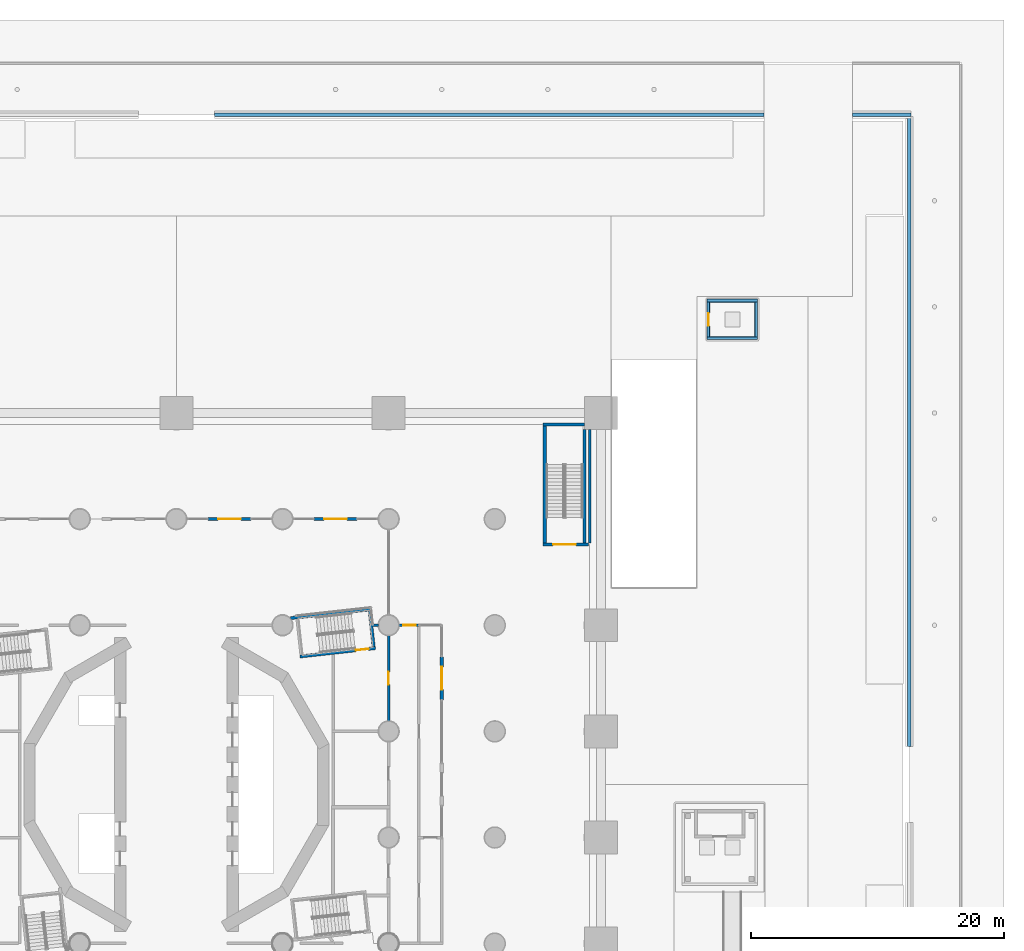
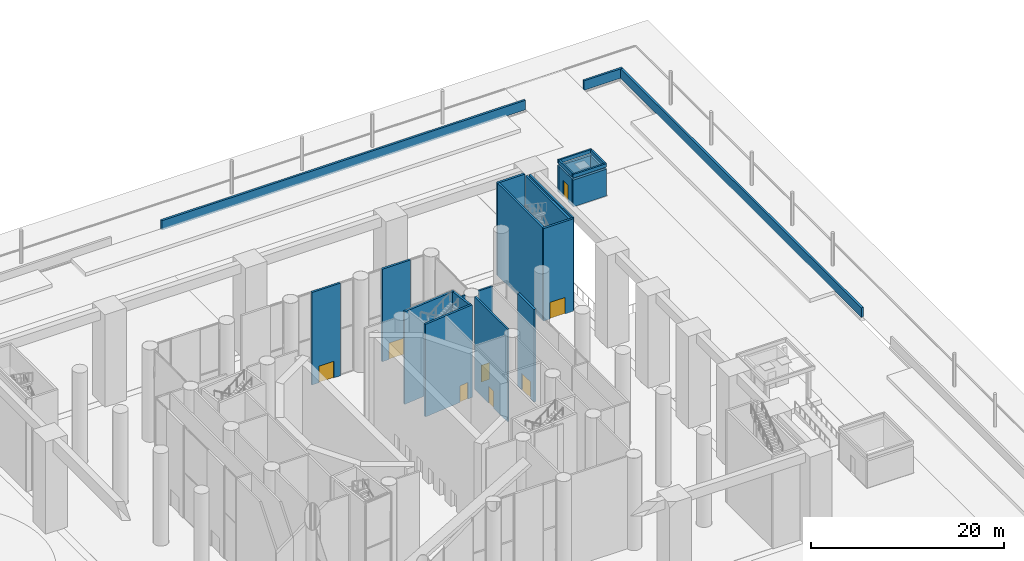
# One storey, part 17 of 52: 25 walls, 8 doors, 8 openings.
"""IFC4 building model written with IfcOpenShell, lengths in metres."""

import ifcopenshell
import ifcopenshell.guid

model = None  # the IFC model being written
_history = None  # IfcOwnerHistory: only IFC2X3 demands one
_inside = {}  # id of a spatial element -> (the spatial element, [elements in it])
_under = {}  # id of a project, library or spatial element -> (it, [spatial elements below it])
_declared = {}  # id of a project -> (the project, [libraries it declares])
_typed = {}  # id of a type object -> (the type object, [elements of that type])
_made_of = {}  # id of a material, layer set ... -> (it, [elements and type objects made of it])


def new_model(schema):
    """Start an empty IFC model of exactly this schema.

    Asked for "IFC4X3", IfcOpenShell would pick the latest addendum, in which some entities
    have other attributes; the version numbers below select the first issue.
    IFC2X3 requires an IfcOwnerHistory on every rooted entity: one is made here for all.
    """
    global model, _history
    if schema == "IFC4X3":
        model = ifcopenshell.file(schema_version=(4, 3, 0, 0))
    else:
        model = ifcopenshell.file(schema=schema)
    _inside.clear()
    _under.clear()
    _declared.clear()
    _typed.clear()
    _made_of.clear()
    _history = None
    if model.schema == "IFC2X3":
        org = make("IfcOrganization", Name="unknown")
        user = make(
            "IfcPersonAndOrganization",
            ThePerson=make("IfcPerson", FamilyName="unknown"),
            TheOrganization=org,
        )
        app = make(
            "IfcApplication",
            ApplicationDeveloper=org,
            Version="unknown",
            ApplicationFullName="unknown",
            ApplicationIdentifier="unknown",
        )
        _history = make(
            "IfcOwnerHistory",
            OwningUser=user,
            OwningApplication=app,
            ChangeAction="ADDED",
            CreationDate=0,
        )
    return model


def make(cls, **values):
    """One entity of the class cls with the attributes given. An attribute that is None is left unset."""
    return model.create_entity(
        cls, **{name: value for name, value in values.items() if value is not None}
    )


def rooted(cls, **values):
    """An entity with a GlobalId (a new one), such as an element, a storey or a relation."""
    return make(cls, GlobalId=ifcopenshell.guid.new(), OwnerHistory=_history, **values)


def si_unit(unit_type, name, prefix=None):
    """IfcSIUnit, for example si_unit("LENGTHUNIT", "METRE", prefix="MILLI")."""
    return make("IfcSIUnit", UnitType=unit_type, Prefix=prefix, Name=name)


def assignment(units):
    """IfcUnitAssignment: the units of a project."""
    return None if units is None else make("IfcUnitAssignment", Units=units)


def point(xyz):
    """IfcCartesianPoint."""
    return None if xyz is None else make("IfcCartesianPoint", Coordinates=xyz)


def direction(xyz):
    """IfcDirection."""
    return None if xyz is None else make("IfcDirection", DirectionRatios=xyz)


def frame(location, z_axis=None, x_axis=None):
    """IfcAxis2Placement3D, a coordinate frame: its origin and axes. An axis left out is left unset."""
    return make(
        "IfcAxis2Placement3D",
        Location=point(location),
        Axis=direction(z_axis),
        RefDirection=direction(x_axis),
    )


def frame_2d(location, x_axis=None):
    """IfcAxis2Placement2D, a coordinate frame in the plane: its origin and x axis."""
    return make(
        "IfcAxis2Placement2D", Location=point(location), RefDirection=direction(x_axis)
    )


def origin():
    """The frame at (0, 0, 0) with its axes left unset."""
    return frame((0.0, 0.0, 0.0))


def place(relative_to, where):
    """IfcLocalPlacement: puts the frame where relative to a parent placement (None: the world)."""
    return make(
        "IfcLocalPlacement", PlacementRelTo=relative_to, RelativePlacement=where
    )


def context(
    kind, dimensions, precision=None, world=None, true_north=None, identifier=None
):
    """IfcGeometricRepresentationContext, for example the 3D "Model" context."""
    return make(
        "IfcGeometricRepresentationContext",
        ContextIdentifier=identifier,
        ContextType=kind,
        CoordinateSpaceDimension=dimensions,
        Precision=precision,
        WorldCoordinateSystem=world,
        TrueNorth=true_north,
    )


def subcontext(parent, identifier, kind, view, scale=None):
    """IfcGeometricRepresentationSubContext, for example "Body" below "Model"."""
    return make(
        "IfcGeometricRepresentationSubContext",
        ContextIdentifier=identifier,
        ContextType=kind,
        ParentContext=parent,
        TargetScale=scale,
        TargetView=view,
    )


def project(units=None, contexts=None):
    """IfcProject with its units and contexts."""
    return rooted(
        "IfcProject",
        Name="project",
        RepresentationContexts=contexts,
        UnitsInContext=assignment(units),
    )


def spatial(cls, under=None, at=None, **own):
    """A site, building, storey or space (cls), placed at a placement, below another one or the project."""
    s = rooted(cls, ObjectPlacement=at, **own)
    if under is not None:
        _under.setdefault(under.id(), (under, []))[1].append(s)
    return s


def profile(cls, at=None, kind="AREA", **sizes):
    """A parametric profile (cls). Its sizes go by their IFC names, for example OverallWidth=200.0."""
    return make(cls, ProfileType=kind, Position=at, **sizes)


def rectangle(**sizes):
    """IfcRectangleProfileDef."""
    return profile("IfcRectangleProfileDef", **sizes)


def extrude(swept, where, along, depth):
    """IfcExtrudedAreaSolid: the profile swept, set in the frame where, extruded along a direction by depth."""
    return make(
        "IfcExtrudedAreaSolid",
        SweptArea=swept,
        Position=where,
        ExtrudedDirection=direction(along),
        Depth=depth,
    )


def shape(context_of_items, identifier, shape_type, items):
    """IfcShapeRepresentation: the items that make up one representation, for example the "Body"."""
    return make(
        "IfcShapeRepresentation",
        ContextOfItems=context_of_items,
        RepresentationIdentifier=identifier,
        RepresentationType=shape_type,
        Items=items,
    )


def material(Name=None, Category=None):
    """IfcMaterial."""
    return make("IfcMaterial", Name=Name, Category=Category)


def layer(
    of_material, thickness, ventilated=None, Name=None, Category=None, Priority=None
):
    """IfcMaterialLayer: one layer of a wall or slab, of a material (None: an air gap)."""
    return make(
        "IfcMaterialLayer",
        Material=of_material,
        LayerThickness=thickness,
        IsVentilated=ventilated,
        Name=Name,
        Category=Category,
        Priority=Priority,
    )


def layer_set(layers, Name=None):
    """IfcMaterialLayerSet."""
    return make("IfcMaterialLayerSet", MaterialLayers=layers, LayerSetName=Name)


def made_of(thing, what):
    """Note that an element or type object is made of a material, layer set ...; save() writes the relation."""
    if what is not None:
        _made_of.setdefault(what.id(), (what, []))[1].append(thing)
    return thing


def type_object(cls, material=None, **own):
    """A type object (cls), such as IfcWallType, which elements share."""
    return made_of(rooted(cls, **own), material)


def element(
    cls,
    number,
    at=None,
    inside=None,
    cuts=None,
    type_object=None,
    material=None,
    context=None,
    identifier="Body",
    shape_type=None,
    held_by="IfcProductDefinitionShape",
    body=None,
    shapes=None,
    **own,
):
    """One element of the class cls, such as IfcWall. Its Tag is "e" and its number.

    at: its placement. inside: the storey or other place that contains it. cuts: it is an
    opening in that element (IfcRelVoidsElement). A single representation is given by context,
    identifier, shape_type and body (its items); several are given by shapes. held_by: the class
    of the entity that holds the representations. save() writes the other relations.
    """
    e = rooted(cls, Tag="e%d" % number, ObjectPlacement=at, **own)
    if body is not None:
        shapes = [shape(context, identifier, shape_type, body)]
    if shapes is not None:
        e.Representation = make(held_by, Representations=shapes)
    if inside is not None:
        _inside.setdefault(inside.id(), (inside, []))[1].append(e)
    if cuts is not None:
        rooted(
            "IfcRelVoidsElement", RelatingBuildingElement=cuts, RelatedOpeningElement=e
        )
    if type_object is not None:
        _typed.setdefault(type_object.id(), (type_object, []))[1].append(e)
    return made_of(e, material)


def fill(opening, filler):
    """IfcRelFillsElement: the door or window that sits in an opening."""
    return rooted(
        "IfcRelFillsElement",
        RelatingOpeningElement=opening,
        RelatedBuildingElement=filler,
    )


def aggregate(whole, parts):
    """IfcRelAggregates: a whole, such as a stair, and the parts it consists of."""
    return rooted("IfcRelAggregates", RelatingObject=whole, RelatedObjects=parts)


def save(model, path):
    """Write the relations noted so far, then the file.

    IfcRelAggregates (storeys below a building ...), IfcRelContainedInSpatialStructure (elements
    in a storey), IfcRelDefinesByType, IfcRelAssociatesMaterial and IfcRelDeclares: one each for
    every whole, place, type object, material and project.
    """
    for whole, parts in _under.values():
        aggregate(whole, parts)
    for where, things in _inside.values():
        rooted(
            "IfcRelContainedInSpatialStructure",
            RelatedElements=things,
            RelatingStructure=where,
        )
    for kind, things in _typed.values():
        rooted("IfcRelDefinesByType", RelatedObjects=things, RelatingType=kind)
    for what, things in _made_of.values():
        rooted("IfcRelAssociatesMaterial", RelatedObjects=things, RelatingMaterial=what)
    for by, libraries in _declared.values():
        rooted("IfcRelDeclares", RelatingContext=by, RelatedDefinitions=libraries)
    model.write(path)


model = new_model("IFC4")

# Units and contexts
model_context = context("Model", 3, precision=1e-05, world=origin(), true_north=direction((0.0, 1.0)))
body_context = subcontext(model_context, "Body", "Model", "MODEL_VIEW")
ifc_project = project(units=[si_unit("LENGTHUNIT", "METRE"), si_unit("AREAUNIT", "SQUARE_METRE"), si_unit("VOLUMEUNIT", "CUBIC_METRE"), si_unit("PLANEANGLEUNIT", "RADIAN"), si_unit("MASSUNIT", "GRAM", prefix="KILO")], contexts=[model_context])

# Site, building, storey
site_placement = place(None, origin())
site = spatial("IfcSite", under=ifc_project, at=site_placement, CompositionType="ELEMENT")
building_placement = place(site_placement, origin())
building = spatial("IfcBuilding", under=site, at=building_placement, Name="Cantera Rosa Tower", CompositionType="ELEMENT")
storey_placement = place(building_placement, origin())
storey = spatial("IfcBuildingStorey", under=building, at=storey_placement, Name="L00", CompositionType="ELEMENT", Elevation=0.0)

# Wall
ifc_material_1 = material(Name="Masonry blockwork", Category="masonry")
ifc_layer_1 = layer(ifc_material_1, 0.199951171875)
ifc_layer_set_1 = layer_set([ifc_layer_1], Name="Blockwork partition 200")
wall_type_1 = type_object("IfcWallType", Name="Blockwork partition 200", PredefinedType="PARTITIONING", material=ifc_layer_set_1)
wall_1_placement = place(storey_placement, frame((15.5517578125, 12.60009765625, 0.0), z_axis=(0.0, 0.0, 1.0), x_axis=(1.0, 0.0, 0.0)))
element("IfcWall", 1, at=wall_1_placement, inside=storey, type_object=wall_type_1, Name="Partition L00-19", PredefinedType="PARTITIONING", context=body_context, shape_type="SweptSolid", body=[
    extrude(rectangle(XDim=0.4482421875, YDim=0.199951171875, at=frame_2d((0.22412109375, 0.0))), origin(), (0.0, 0.0, 1.0), 11.699951171875),
])

# Wall, opening, door
wall_2_placement = place(storey_placement, frame((17.60009765625, 12.60009765625, 0.0), z_axis=(0.0, 0.0, 1.0), x_axis=(1.0, 0.0, 0.0)))
wall_2 = element("IfcWall", 2, at=wall_2_placement, inside=storey, type_object=wall_type_1, Name="Partition L00-20", PredefinedType="PARTITIONING", context=body_context, shape_type="SweptSolid", body=[
    extrude(rectangle(XDim=1.699951171875, YDim=0.199951171875, at=frame_2d((0.85009765625, 0.0))), origin(), (0.0, 0.0, 1.0), 11.699951171875),
])
opening_1_placement = place(wall_2_placement, frame((0.35009765625, 0.0, 0.0)))
opening_1 = element("IfcOpeningElement", 3, at=opening_1_placement, cuts=wall_2, Name="Opening L00-013", PredefinedType="OPENING", context=body_context, shape_type="SweptSolid", body=[
    extrude(rectangle(XDim=1.0, YDim=2.10009765625, at=frame_2d((0.5, 1.050048828125))), frame((0.0, 0.10986328125, 0.0), z_axis=(0.0, -1.0, 0.0), x_axis=(1.0, 0.0, 0.0)), (0.0, 0.0, 1.0), 0.219970703125),
])
ifc_material_2 = material(Name="Timber", Category="wood")
door_type_1 = type_object("IfcDoorType", Name="Door 1000x2100", OperationType="NOTDEFINED", PredefinedType="DOOR", material=ifc_material_2)
door_1_placement = place(opening_1_placement, origin())
door_1 = element("IfcDoor", 4, at=door_1_placement, inside=storey, type_object=door_type_1, Name="Door L00-013", OverallHeight=2.10009765625, OverallWidth=1.0, PredefinedType="DOOR", context=body_context, shape_type="SweptSolid", body=[
    extrude(rectangle(XDim=1.0, YDim=2.10009765625, at=frame_2d((0.5, 1.050048828125))), frame((0.0, 0.02490234375, 0.0), z_axis=(0.0, -1.0, 0.0), x_axis=(1.0, 0.0, 0.0)), (0.0, 0.0, 1.0), 0.050048828125),
])
fill(opening_1, door_1)

wall_3_placement = place(storey_placement, frame((16.800048828125, 5.0, 0.0), z_axis=(0.0, 0.0, 1.0), x_axis=(0.0, 1.0, 0.0)))
wall_3 = element("IfcWall", 5, at=wall_3_placement, inside=storey, type_object=wall_type_1, Name="Partition L00-33", PredefinedType="PARTITIONING", context=body_context, shape_type="SweptSolid", body=[
    extrude(rectangle(XDim=6.800048828125, YDim=0.199951171875, at=frame_2d((3.39990234375, 0.0))), origin(), (0.0, 0.0, 1.0), 11.699951171875),
])
opening_2_placement = place(wall_3_placement, frame((2.89990234375, 0.0, 0.0)))
opening_2 = element("IfcOpeningElement", 6, at=opening_2_placement, cuts=wall_3, Name="Opening L00-003", PredefinedType="OPENING", context=body_context, shape_type="SweptSolid", body=[
    extrude(rectangle(XDim=1.0, YDim=2.10009765625, at=frame_2d((0.5, 1.050048828125))), frame((0.0, 0.10986328125, 0.0), z_axis=(0.0, -1.0, 0.0), x_axis=(1.0, 0.0, 0.0)), (0.0, 0.0, 1.0), 0.219970703125),
])
door_2_placement = place(opening_2_placement, origin())
door_2 = element("IfcDoor", 7, at=door_2_placement, inside=storey, type_object=door_type_1, Name="Door L00-003", OverallHeight=2.10009765625, OverallWidth=1.0, PredefinedType="DOOR", context=body_context, shape_type="SweptSolid", body=[
    extrude(rectangle(XDim=1.0, YDim=2.10009765625, at=frame_2d((0.5, 1.050048828125))), frame((0.0, 0.02490234375, 0.0), z_axis=(0.0, -1.0, 0.0), x_axis=(1.0, 0.0, 0.0)), (0.0, 0.0, 1.0), 0.050048828125),
])
fill(opening_2, door_2)

# Wall
wall_4_placement = place(storey_placement, frame((32.699951171875, 19.10009765625, 0.0), z_axis=(0.0, 0.0, 1.0), x_axis=(0.0, 1.0, 0.0)))
element("IfcWall", 8, at=wall_4_placement, inside=storey, type_object=wall_type_1, Name="Partition L00-61", PredefinedType="PARTITIONING", context=body_context, shape_type="SweptSolid", body=[
    extrude(rectangle(XDim=9.0, YDim=0.199951171875, at=frame_2d((4.5, 0.0))), origin(), (0.0, 0.0, 1.0), 11.699951171875),
])

# Wall, opening, door
ifc_material_3 = material(Name="Masonry blockwork", Category="masonry")
ifc_layer_2 = layer(ifc_material_3, 0.25)
ifc_layer_set_2 = layer_set([ifc_layer_2], Name="Entrance wall 250")
wall_type_2 = type_object("IfcWallType", Name="Entrance wall 250", PredefinedType="PARTITIONING", material=ifc_layer_set_2)
wall_5_placement = place(storey_placement, frame((21.0, 6.699951171875, 0.0), z_axis=(0.0, 0.0, 1.0), x_axis=(0.0, 1.0, 0.0)))
wall_5 = element("IfcWall", 9, at=wall_5_placement, inside=storey, type_object=wall_type_2, Name="Entrance wall L00-2", PredefinedType="PARTITIONING", context=body_context, shape_type="SweptSolid", body=[
    extrude(rectangle(XDim=3.400146484375, YDim=0.25, at=frame_2d((1.7001953125, 0.0))), origin(), (0.0, 0.0, 1.0), 11.699951171875),
])
opening_3_placement = place(wall_5_placement, frame((0.800048828125, 0.0, 0.0)))
opening_3 = element("IfcOpeningElement", 10, at=opening_3_placement, cuts=wall_5, Name="Opening L00-E02", PredefinedType="OPENING", context=body_context, shape_type="SweptSolid", body=[
    extrude(rectangle(XDim=1.800048828125, YDim=2.10009765625, at=frame_2d((0.89990234375, 1.050048828125))), frame((0.0, 0.135009765625, 0.0), z_axis=(0.0, -1.0, 0.0), x_axis=(1.0, 0.0, 0.0)), (0.0, 0.0, 1.0), 0.27001953125),
])
ifc_material_4 = material(Name="Glass", Category="glass")
door_type_2 = type_object("IfcDoorType", Name="Glazed entrance door 1800x2100", OperationType="NOTDEFINED", PredefinedType="DOOR", material=ifc_material_4)
door_3_placement = place(opening_3_placement, origin())
door_3 = element("IfcDoor", 11, at=door_3_placement, inside=storey, type_object=door_type_2, Name="Entrance door L00-E02", OperationType="DOUBLE_DOOR_SINGLE_SWING", OverallHeight=2.10009765625, OverallWidth=1.800048828125, PredefinedType="DOOR", context=body_context, shape_type="SweptSolid", body=[
    extrude(rectangle(XDim=1.800048828125, YDim=2.10009765625, at=frame_2d((0.89990234375, 1.050048828125))), frame((0.0, 0.02490234375, 0.0), z_axis=(0.0, -1.0, 0.0), x_axis=(1.0, 0.0, 0.0)), (0.0, 0.0, 1.0), 0.050048828125),
])
fill(opening_3, door_3)

wall_6_placement = place(storey_placement, frame((2.5, 21.0, 0.0), z_axis=(0.0, 0.0, 1.0), x_axis=(1.0, 0.0, 0.0)))
wall_6 = element("IfcWall", 12, at=wall_6_placement, inside=storey, type_object=wall_type_2, Name="Entrance wall L00-4", PredefinedType="PARTITIONING", context=body_context, shape_type="SweptSolid", body=[
    extrude(rectangle(XDim=3.39990234375, YDim=0.25, at=frame_2d((1.699951171875, 0.0))), origin(), (0.0, 0.0, 1.0), 11.699951171875),
])
opening_4_placement = place(wall_6_placement, frame((0.800048828125, 0.0, 0.0)))
opening_4 = element("IfcOpeningElement", 13, at=opening_4_placement, cuts=wall_6, Name="Opening L00-E04", PredefinedType="OPENING", context=body_context, shape_type="SweptSolid", body=[
    extrude(rectangle(XDim=1.800048828125, YDim=2.10009765625, at=frame_2d((0.89990234375, 1.050048828125))), frame((0.0, 0.135009765625, 0.0), z_axis=(0.0, -1.0, 0.0), x_axis=(1.0, 0.0, 0.0)), (0.0, 0.0, 1.0), 0.27001953125),
])
door_4_placement = place(opening_4_placement, origin())
door_4 = element("IfcDoor", 14, at=door_4_placement, inside=storey, type_object=door_type_2, Name="Entrance door L00-E04", OperationType="DOUBLE_DOOR_SINGLE_SWING", OverallHeight=2.10009765625, OverallWidth=1.800048828125, PredefinedType="DOOR", context=body_context, shape_type="SweptSolid", body=[
    extrude(rectangle(XDim=1.800048828125, YDim=2.10009765625, at=frame_2d((0.89990234375, 1.050048828125))), frame((0.0, 0.02490234375, 0.0), z_axis=(0.0, -1.0, 0.0), x_axis=(1.0, 0.0, 0.0)), (0.0, 0.0, 1.0), 0.050048828125),
])
fill(opening_4, door_4)

wall_7_placement = place(storey_placement, frame((10.89990234375, 21.0, 0.0), z_axis=(0.0, 0.0, 1.0), x_axis=(1.0, 0.0, 0.0)))
wall_7 = element("IfcWall", 15, at=wall_7_placement, inside=storey, type_object=wall_type_2, Name="Entrance wall L00-5", PredefinedType="PARTITIONING", context=body_context, shape_type="SweptSolid", body=[
    extrude(rectangle(XDim=3.400146484375, YDim=0.25, at=frame_2d((1.7001953125, 0.0))), origin(), (0.0, 0.0, 1.0), 11.699951171875),
])
opening_5_placement = place(wall_7_placement, frame((0.800048828125, 0.0, 0.0)))
opening_5 = element("IfcOpeningElement", 16, at=opening_5_placement, cuts=wall_7, Name="Opening L00-E05", PredefinedType="OPENING", context=body_context, shape_type="SweptSolid", body=[
    extrude(rectangle(XDim=1.800048828125, YDim=2.10009765625, at=frame_2d((0.89990234375, 1.050048828125))), frame((0.0, 0.135009765625, 0.0), z_axis=(0.0, -1.0, 0.0), x_axis=(1.0, 0.0, 0.0)), (0.0, 0.0, 1.0), 0.27001953125),
])
door_5_placement = place(opening_5_placement, origin())
door_5 = element("IfcDoor", 17, at=door_5_placement, inside=storey, type_object=door_type_2, Name="Entrance door L00-E05", OperationType="DOUBLE_DOOR_SINGLE_SWING", OverallHeight=2.10009765625, OverallWidth=1.800048828125, PredefinedType="DOOR", context=body_context, shape_type="SweptSolid", body=[
    extrude(rectangle(XDim=1.800048828125, YDim=2.10009765625, at=frame_2d((0.89990234375, 1.050048828125))), frame((0.0, 0.02490234375, 0.0), z_axis=(0.0, -1.0, 0.0), x_axis=(1.0, 0.0, 0.0)), (0.0, 0.0, 1.0), 0.050048828125),
])
fill(opening_5, door_5)

# Walls
ifc_material_5 = material(Name="Concrete C50/60", Category="concrete")
ifc_layer_3 = layer(ifc_material_5, 0.25)
ifc_layer_set_3 = layer_set([ifc_layer_3], Name="External stair wall 250")
wall_type_3 = type_object("IfcWallType", Name="External stair wall 250", PredefinedType="SOLIDWALL", material=ifc_layer_set_3)
wall_8_placement = place(storey_placement, frame((29.02490234375, 28.5, 0.0), z_axis=(0.0, 0.0, 1.0), x_axis=(1.0, 0.0, 0.0)))
element("IfcWall", 18, at=wall_8_placement, inside=storey, type_object=wall_type_3, Name="Stair wall L00-53", PredefinedType="SOLIDWALL", context=body_context, shape_type="SweptSolid", body=[
    extrude(rectangle(XDim=3.275146484375, YDim=0.25, at=frame_2d((1.6376953125, 0.0))), origin(), (0.0, 0.0, 1.0), 11.699951171875),
])
ifc_material_6 = material(Name="Concrete C40/50", Category="concrete")
ifc_layer_4 = layer(ifc_material_6, 0.25)
ifc_layer_set_4 = layer_set([ifc_layer_4], Name="Pavilion wall 250")
wall_type_4 = type_object("IfcWallType", Name="Pavilion wall 250", PredefinedType="SOLIDWALL", material=ifc_layer_set_4)
for number, where, z_axis, x_axis, name in (
    (19, (42.0, 35.324951171875, 0.0), (0.0, 0.0, 1.0), (1.0, 0.0, 0.0), "Wall of the car park gatehouse S"),
    (20, (42.0, 38.27490234375, 0.0), (0.0, 0.0, 1.0), (1.0, 0.0, 0.0), "Wall of the car park gatehouse N"),
):
    element("IfcWall", number, at=place(storey_placement, frame(where, z_axis=z_axis, x_axis=x_axis)), inside=storey, type_object=wall_type_4, Name=name, PredefinedType="SOLIDWALL", context=body_context, shape_type="SweptSolid", body=[
        extrude(rectangle(XDim=4.0, YDim=0.25, at=frame_2d((2.0, 0.0))), origin(), (0.0, 0.0, 1.0), 3.39990234375),
    ])

# Wall, opening, door
wall_9_placement = place(storey_placement, frame((42.125, 35.449951171875, 0.0), z_axis=(0.0, 0.0, 1.0), x_axis=(0.0, 1.0, 0.0)))
wall_9 = element("IfcWall", 21, at=wall_9_placement, inside=storey, type_object=wall_type_4, Name="Wall of the car park gatehouse W", PredefinedType="SOLIDWALL", context=body_context, shape_type="SweptSolid", body=[
    extrude(rectangle(XDim=2.699951171875, YDim=0.25, at=frame_2d((1.35009765625, 0.0))), origin(), (0.0, 0.0, 1.0), 3.39990234375),
])
opening_6_placement = place(wall_9_placement, frame((0.85009765625, 0.0, 0.0)))
opening_6 = element("IfcOpeningElement", 22, at=opening_6_placement, cuts=wall_9, Name="Opening L00-GATE", PredefinedType="OPENING", context=body_context, shape_type="SweptSolid", body=[
    extrude(rectangle(XDim=1.0, YDim=2.10009765625, at=frame_2d((0.5, 1.050048828125))), frame((0.0, 0.135009765625, 0.0), z_axis=(0.0, -1.0, 0.0), x_axis=(1.0, 0.0, 0.0)), (0.0, 0.0, 1.0), 0.27001953125),
])
ifc_material_7 = material(Name="Steel S355J2 (EN 10025-2)", Category="steel")
door_type_3 = type_object("IfcDoorType", Name="Pavilion door 1000x2100", OperationType="NOTDEFINED", PredefinedType="DOOR", material=ifc_material_7)
door_6_placement = place(opening_6_placement, origin())
door_6 = element("IfcDoor", 23, at=door_6_placement, inside=storey, type_object=door_type_3, Name="Door of the car park gatehouse", OverallHeight=2.10009765625, OverallWidth=1.0, PredefinedType="DOOR", context=body_context, shape_type="SweptSolid", body=[
    extrude(rectangle(XDim=1.0, YDim=2.10009765625, at=frame_2d((0.5, 1.050048828125))), frame((0.0, 0.02490234375, 0.0), z_axis=(0.0, -1.0, 0.0), x_axis=(1.0, 0.0, 0.0)), (0.0, 0.0, 1.0), 0.050048828125),
])
fill(opening_6, door_6)

# Walls
wall_10_placement = place(storey_placement, frame((45.875, 35.449951171875, 0.0), z_axis=(0.0, 0.0, 1.0), x_axis=(0.0, 1.0, 0.0)))
element("IfcWall", 24, at=wall_10_placement, inside=storey, type_object=wall_type_4, Name="Wall of the car park gatehouse E", PredefinedType="SOLIDWALL", context=body_context, shape_type="SweptSolid", body=[
    extrude(rectangle(XDim=2.699951171875, YDim=0.25, at=frame_2d((1.35009765625, 0.0))), origin(), (0.0, 0.0, 1.0), 3.39990234375),
])
ifc_material_8 = material(Name="Concrete C40/50", Category="concrete")
ifc_layer_5 = layer(ifc_material_8, 0.25)
ifc_layer_set_5 = layer_set([ifc_layer_5], Name="Plot boundary wall 250")
wall_type_5 = type_object("IfcWallType", Name="Plot boundary wall 250", PredefinedType="NOTDEFINED", material=ifc_layer_set_5)
wall_11_placement = place(storey_placement, frame((3.0, 53.0, 0.0), z_axis=(0.0, 0.0, 1.0), x_axis=(1.0, 0.0, 0.0)))
element("IfcWall", 25, at=wall_11_placement, inside=storey, type_object=wall_type_5, Name="Plot boundary wall N2", PredefinedType="NOTDEFINED", context=body_context, shape_type="SweptSolid", body=[
    extrude(rectangle(XDim=43.5, YDim=0.25, at=frame_2d((21.75, 0.0))), origin(), (0.0, 0.0, 1.0), 1.199951171875),
])
wall_12_placement = place(storey_placement, frame((53.5, 53.0, 0.0), z_axis=(0.0, 0.0, 1.0), x_axis=(1.0, 0.0, 0.0)))
element("IfcWall", 26, at=wall_12_placement, inside=storey, type_object=wall_type_5, Name="Plot boundary wall N3", PredefinedType="NOTDEFINED", context=body_context, shape_type="SweptSolid", body=[
    extrude(rectangle(XDim=4.625, YDim=0.25, at=frame_2d((2.3125, 0.0))), origin(), (0.0, 0.0, 1.0), 1.199951171875),
])
wall_13_placement = place(storey_placement, frame((58.0, 3.0, 0.0), z_axis=(0.0, 0.0, 1.0), x_axis=(0.0, 1.0, 0.0)))
element("IfcWall", 27, at=wall_13_placement, inside=storey, type_object=wall_type_5, Name="Plot boundary wall E2", PredefinedType="NOTDEFINED", context=body_context, shape_type="SweptSolid", body=[
    extrude(rectangle(XDim=49.875, YDim=0.25, at=frame_2d((24.9375, 0.0))), origin(), (0.0, 0.0, 1.0), 1.199951171875),
])
ifc_material_9 = material(Name="Concrete C50/60", Category="concrete")
ifc_layer_6 = layer(ifc_material_9, 0.25)
ifc_layer_set_6 = layer_set([ifc_layer_6], Name="RC stair wall 250 C50/60")
wall_type_6 = type_object("IfcWallType", Name="RC stair wall 250", PredefinedType="SOLIDWALL", material=ifc_layer_set_6)
wall_14_placement = place(storey_placement, frame((32.300048828125, 19.125, 0.0), z_axis=(0.0, 0.0, 1.0), x_axis=(0.0, 1.0, 0.0)))
element("IfcWall", 28, at=wall_14_placement, inside=storey, type_object=wall_type_6, Name="Stair wall L00-51", PredefinedType="SOLIDWALL", context=body_context, shape_type="SweptSolid", body=[
    extrude(rectangle(XDim=8.97509765625, YDim=0.25, at=frame_2d((4.487548828125, 0.0))), origin(), (0.0, 0.0, 1.0), 11.699951171875),
])
wall_15_placement = place(storey_placement, frame((29.14990234375, 19.125, 0.0), z_axis=(0.0, 0.0, 1.0), x_axis=(0.0, 1.0, 0.0)))
element("IfcWall", 29, at=wall_15_placement, inside=storey, type_object=wall_type_6, Name="Stair wall L00-55", PredefinedType="SOLIDWALL", context=body_context, shape_type="SweptSolid", body=[
    extrude(rectangle(XDim=9.25, YDim=0.25, at=frame_2d((4.625, 0.0))), origin(), (0.0, 0.0, 1.0), 11.699951171875),
])

# Wall, opening, door
wall_16_placement = place(storey_placement, frame((32.60009765625, 19.0, 0.0), z_axis=(0.0, 0.0, 1.0), x_axis=(-1.0, 0.0, 0.0)))
wall_16 = element("IfcWall", 30, at=wall_16_placement, inside=storey, type_object=wall_type_6, Name="Stair wall L00-58", PredefinedType="SOLIDWALL", context=body_context, shape_type="SweptSolid", body=[
    extrude(rectangle(XDim=3.5751953125, YDim=0.25, at=frame_2d((1.78759765625, 0.0))), origin(), (0.0, 0.0, 1.0), 11.699951171875),
])
opening_7_placement = place(wall_16_placement, frame((0.97509765625, 0.0, 0.0)))
opening_7 = element("IfcOpeningElement", 31, at=opening_7_placement, cuts=wall_16, Name="Opening L00-015", PredefinedType="OPENING", context=body_context, shape_type="SweptSolid", body=[
    extrude(rectangle(XDim=1.800048828125, YDim=2.10009765625, at=frame_2d((0.89990234375, 1.050048828125))), frame((0.0, 0.135009765625, 0.0), z_axis=(0.0, -1.0, 0.0), x_axis=(1.0, 0.0, 0.0)), (0.0, 0.0, 1.0), 0.27001953125),
])
ifc_material_10 = material(Name="Steel S355J2 (EN 10025-2)", Category="steel")
door_type_4 = type_object("IfcDoorType", Name="Fire double door 1800x2100 EI 120", OperationType="NOTDEFINED", PredefinedType="DOOR", material=ifc_material_10)
door_7_placement = place(opening_7_placement, origin())
door_7 = element("IfcDoor", 32, at=door_7_placement, inside=storey, type_object=door_type_4, Name="Door L00-015", OperationType="DOUBLE_DOOR_SINGLE_SWING", OverallHeight=2.10009765625, OverallWidth=1.800048828125, PredefinedType="DOOR", context=body_context, shape_type="SweptSolid", body=[
    extrude(rectangle(XDim=1.800048828125, YDim=2.10009765625, at=frame_2d((0.89990234375, 1.050048828125))), frame((0.0, 0.02490234375, 0.0), z_axis=(0.0, -1.0, 0.0), x_axis=(1.0, 0.0, 0.0)), (0.0, 0.0, 1.0), 0.050048828125),
])
fill(opening_7, door_7)

# Wall
wall_17_placement = place(storey_placement, frame((15.30029296875, 13.7333984375, 0.0), z_axis=(0.0, 0.0, 1.0), x_axis=(0.110252878147, -0.99390356819, 0.0)))
element("IfcWall", 33, at=wall_17_placement, inside=storey, type_object=wall_type_6, Name="Stair wall ST-11 L00-1", PredefinedType="SOLIDWALL", context=body_context, shape_type="SweptSolid", body=[
    extrude(rectangle(XDim=2.849853515625, YDim=0.25, at=frame_2d((1.4248046875, 0.0))), origin(), (0.0, 0.0, 1.0), 11.699951171875),
])

# Wall, opening, door
wall_18_placement = place(storey_placement, frame((15.752685546875, 10.790283203125, 0.0), z_axis=(0.0, 0.0, 1.0), x_axis=(-0.993897125329, -0.110310943534, 0.0)))
wall_18 = element("IfcWall", 34, at=wall_18_placement, inside=storey, type_object=wall_type_6, Name="Stair wall ST-11 L00-2", PredefinedType="SOLIDWALL", context=body_context, shape_type="SweptSolid", body=[
    extrude(rectangle(XDim=6.0, YDim=0.25, at=frame_2d((3.0, 0.0))), origin(), (0.0, 0.0, 1.0), 11.699951171875),
])
opening_8_placement = place(wall_18_placement, frame((0.550048828125, 0.0, 0.0)))
opening_8 = element("IfcOpeningElement", 35, at=opening_8_placement, cuts=wall_18, Name="Opening L00-ST-11", PredefinedType="OPENING", context=body_context, shape_type="SweptSolid", body=[
    extrude(rectangle(XDim=1.0, YDim=2.10009765625, at=frame_2d((0.5, 1.050048828125))), frame((0.0, 0.135009765625, 0.0), z_axis=(0.0, -1.0, 0.0), x_axis=(1.0, 0.0, 0.0)), (0.0, 0.0, 1.0), 0.27001953125),
])
ifc_material_11 = material(Name="Steel S355J2 (EN 10025-2)", Category="steel")
door_type_5 = type_object("IfcDoorType", Name="Fire door 1000x2100 EI 120", OperationType="NOTDEFINED", PredefinedType="DOOR", material=ifc_material_11)
door_8_placement = place(opening_8_placement, origin())
door_8 = element("IfcDoor", 36, at=door_8_placement, inside=storey, type_object=door_type_5, Name="Door L00-ST-11", OverallHeight=2.10009765625, OverallWidth=1.0, PredefinedType="DOOR", context=body_context, shape_type="SweptSolid", body=[
    extrude(rectangle(XDim=1.0, YDim=2.10009765625, at=frame_2d((0.5, 1.050048828125))), frame((0.0, 0.02490234375, 0.0), z_axis=(0.0, -1.0, 0.0), x_axis=(1.0, 0.0, 0.0)), (0.0, 0.0, 1.0), 0.050048828125),
])
fill(opening_8, door_8)

# Walls
wall_19_placement = place(storey_placement, frame((9.04638671875, 13.1650390625, 0.0), z_axis=(0.0, 0.0, 1.0), x_axis=(0.993893959598, 0.110339462908, 0.0)))
element("IfcWall", 37, at=wall_19_placement, inside=storey, type_object=wall_type_6, Name="Stair wall ST-11 L00-4", PredefinedType="SOLIDWALL", context=body_context, shape_type="SweptSolid", body=[
    extrude(rectangle(XDim=6.4033203125, YDim=0.25, at=frame_2d((3.20166015625, 0.0))), origin(), (0.0, 0.0, 1.0), 11.699951171875),
])
ifc_material_12 = material(Name="Concrete C40/50", Category="concrete")
ifc_layer_7 = layer(ifc_material_12, 0.199951171875)
ifc_layer_set_7 = layer_set([ifc_layer_7], Name="Roof parapet 200")
wall_type_7 = type_object("IfcWallType", Name="Roof parapet 200", PredefinedType="PARAPET", material=ifc_layer_set_7)
for number, where, z_axis, x_axis, name in (
    (38, (42.0, 35.300048828125, 3.64990234375), (0.0, 0.0, 1.0), (1.0, 0.0, 0.0), "Parapet of the car park gatehouse roof S"),
    (39, (42.0, 38.300048828125, 3.64990234375), (0.0, 0.0, 1.0), (1.0, 0.0, 0.0), "Parapet of the car park gatehouse roof N"),
):
    element("IfcWall", number, at=place(storey_placement, frame(where, z_axis=z_axis, x_axis=x_axis)), inside=storey, type_object=wall_type_7, Name=name, PredefinedType="PARAPET", context=body_context, shape_type="SweptSolid", body=[
        extrude(rectangle(XDim=4.0, YDim=0.199951171875, at=frame_2d((2.0, 0.0))), origin(), (0.0, 0.0, 1.0), 0.4501953125),
    ])
for number, where, z_axis, x_axis, name in (
    (40, (42.10009765625, 35.39990234375, 3.64990234375), (0.0, 0.0, 1.0), (0.0, 1.0, 0.0), "Parapet of the car park gatehouse roof W"),
    (41, (45.89990234375, 35.39990234375, 3.64990234375), (0.0, 0.0, 1.0), (0.0, 1.0, 0.0), "Parapet of the car park gatehouse roof E"),
):
    element("IfcWall", number, at=place(storey_placement, frame(where, z_axis=z_axis, x_axis=x_axis)), inside=storey, type_object=wall_type_7, Name=name, PredefinedType="PARAPET", context=body_context, shape_type="SweptSolid", body=[
        extrude(rectangle(XDim=2.800048828125, YDim=0.199951171875, at=frame_2d((1.39990234375, 0.0))), origin(), (0.0, 0.0, 1.0), 0.4501953125),
    ])

save(model, "model.ifc")
